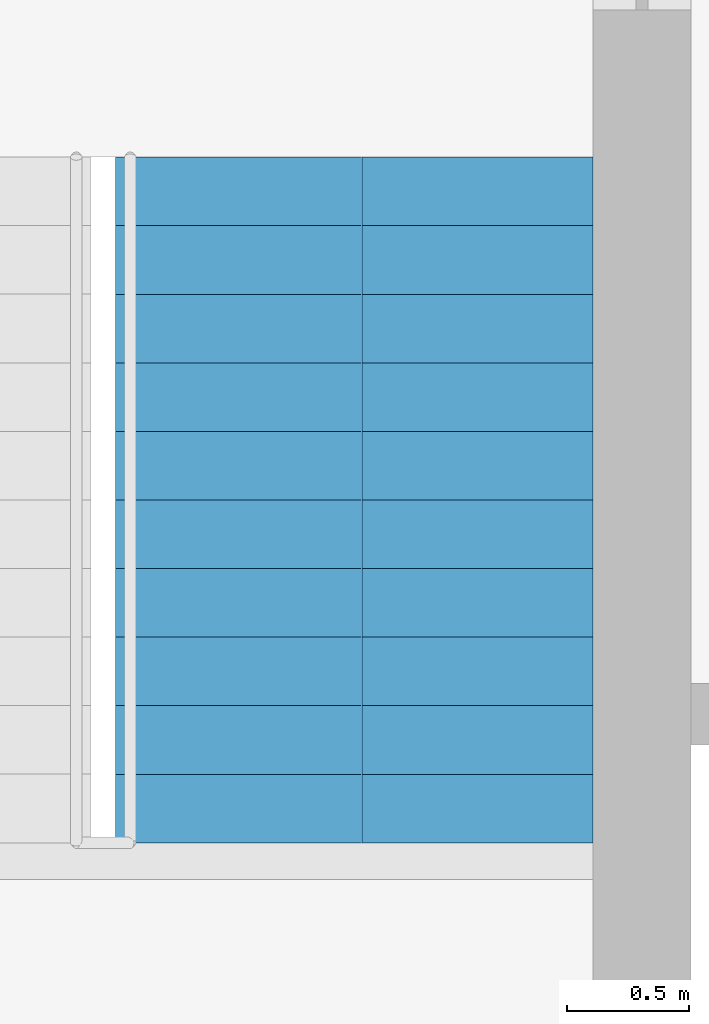
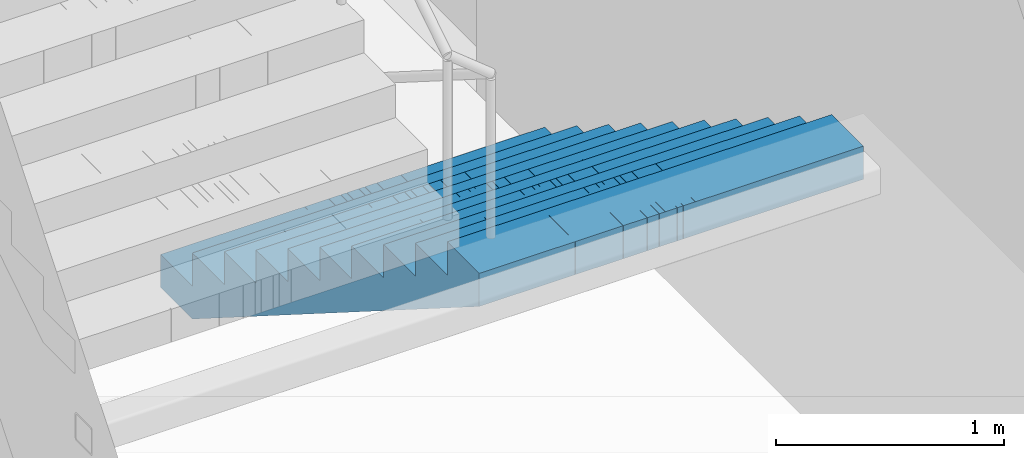
# One storey, part 21 of 22: 1 stair flight, 1 element without a shape of its own.
"""IFC4 building model written with IfcOpenShell, lengths in metres."""

from ifc_helpers import new_model, si_unit, direction, frame, origin, place, context, subcontext, project, spatial, polyline, outline, extrude, material, type_object, element, aggregate, save


model = new_model("IFC4")

# Units and contexts
model_context = context("Model", 3, precision=1e-05, world=origin(), true_north=direction((0.0, 1.0)))
body_context = subcontext(model_context, "Body", "Model", "MODEL_VIEW")
ifc_project = project(units=[si_unit("LENGTHUNIT", "METRE"), si_unit("AREAUNIT", "SQUARE_METRE"), si_unit("VOLUMEUNIT", "CUBIC_METRE"), si_unit("PLANEANGLEUNIT", "RADIAN"), si_unit("MASSUNIT", "GRAM", prefix="KILO")], contexts=[model_context])

# Site, building, storey
site_placement = place(None, origin())
site = spatial("IfcSite", under=ifc_project, at=site_placement, CompositionType="ELEMENT")
building_placement = place(site_placement, origin())
building = spatial("IfcBuilding", under=site, at=building_placement, Name="Mizan Broadcast Tower", CompositionType="ELEMENT")
storey_placement = place(building_placement, frame((0.0, 0.0, 66.89990234375)))
storey = spatial("IfcBuildingStorey", under=building, at=storey_placement, Name="L13", CompositionType="ELEMENT", Elevation=66.89990234375)

# Stair, stair flight
ifc_material_1 = material(Name="Concrete C40/50", Category="concrete")
stair_type = type_object("IfcStairType", Name="EXIT STAIR", PredefinedType="HALF_TURN_STAIR", material=ifc_material_1)
stair_placement = place(storey_placement, origin())
stair = element("IfcStair", 1, at=stair_placement, inside=storey, type_object=stair_type, Name="Stair B L13", PredefinedType="HALF_TURN_STAIR")
ifc_material_2 = material(Name="Concrete C40/50", Category="concrete")
stair_flight_type = type_object("IfcStairFlightType", Name="EXIT STAIR FLIGHT", PredefinedType="STRAIGHT", material=ifc_material_2)
stair_flight_placement = place(storey_placement, frame((1.02490234375, 7.89990234375, 0.0), z_axis=(0.0, 0.0, 1.0), x_axis=(0.0, -1.0, 0.0)))
stair_flight = element("IfcStairFlight", 2, at=stair_flight_placement, type_object=stair_flight_type, Name="B flight 1", NumberOfRisers=11, NumberOfTreads=10, PredefinedType="STRAIGHT", RiserHeight=0.177272727, TreadLength=0.28, context=body_context, shape_type="SweptSolid", body=[
    extrude(outline(polyline([(0.0, 0.0), (0.0, 0.17724609375), (0.280029296875, 0.17724609375), (0.280029296875, 0.3544921875), (0.56005859375, 0.3544921875), (0.56005859375, 0.53173828125), (0.840087890625, 0.53173828125), (0.840087890625, 0.708984375), (1.1201171875, 0.708984375), (1.1201171875, 0.886474609375), (1.39990234375, 0.886474609375), (1.39990234375, 1.063720703125), (1.679931640625, 1.063720703125), (1.679931640625, 1.240966796875), (1.9599609375, 1.240966796875), (1.9599609375, 1.418212890625), (2.239990234375, 1.418212890625), (2.239990234375, 1.595458984375), (2.52001953125, 1.595458984375), (2.52001953125, 1.772705078125), (2.800048828125, 1.772705078125), (2.800048828125, 1.949951171875), (2.800048828125, 1.59521484375), (0.2802734375, 0.0), (0.0, 0.0)])), frame((0.0, 0.97509765625, 0.0), z_axis=(0.0, -1.0, 0.0), x_axis=(1.0, 0.0, 0.0)), (0.0, 0.0, 1.0), 0.4873046875),
    extrude(outline(polyline([(0.0, 0.0), (0.0, 0.17724609375), (0.280029296875, 0.17724609375), (0.280029296875, 0.3544921875), (0.56005859375, 0.3544921875), (0.56005859375, 0.53173828125), (0.840087890625, 0.53173828125), (0.840087890625, 0.708984375), (1.1201171875, 0.708984375), (1.1201171875, 0.886474609375), (1.39990234375, 0.886474609375), (1.39990234375, 1.063720703125), (1.679931640625, 1.063720703125), (1.679931640625, 1.240966796875), (1.9599609375, 1.240966796875), (1.9599609375, 1.418212890625), (2.239990234375, 1.418212890625), (2.239990234375, 1.595458984375), (2.52001953125, 1.595458984375), (2.52001953125, 1.772705078125), (2.800048828125, 1.772705078125), (2.800048828125, 1.949951171875), (2.800048828125, 1.59521484375), (0.2802734375, 0.0), (0.0, 0.0)])), frame((0.0, 0.4873046875, 0.0), z_axis=(0.0, -1.0, 0.0), x_axis=(1.0, 0.0, 0.0)), (0.0, 0.0, 1.0), 0.2431640625),
    extrude(outline(polyline([(0.0, 0.0), (0.0, 0.17724609375), (0.280029296875, 0.17724609375), (0.280029296875, 0.3544921875), (0.56005859375, 0.3544921875), (0.56005859375, 0.53173828125), (0.840087890625, 0.53173828125), (0.840087890625, 0.708984375), (1.1201171875, 0.708984375), (1.1201171875, 0.886474609375), (1.39990234375, 0.886474609375), (1.39990234375, 1.063720703125), (1.679931640625, 1.063720703125), (1.679931640625, 1.240966796875), (1.9599609375, 1.240966796875), (1.9599609375, 1.418212890625), (2.239990234375, 1.418212890625), (2.239990234375, 1.595458984375), (2.52001953125, 1.595458984375), (2.52001953125, 1.772705078125), (2.800048828125, 1.772705078125), (2.800048828125, 1.949951171875), (2.800048828125, 1.59521484375), (0.2802734375, 0.0), (0.0, 0.0)])), frame((0.0, 0.24365234375, 0.0), z_axis=(0.0, -1.0, 0.0), x_axis=(1.0, 0.0, 0.0)), (0.0, 0.0, 1.0), 0.121337890625),
    extrude(outline(polyline([(0.0, 0.0), (0.0, 0.17724609375), (0.280029296875, 0.17724609375), (0.280029296875, 0.3544921875), (0.56005859375, 0.3544921875), (0.56005859375, 0.53173828125), (0.840087890625, 0.53173828125), (0.840087890625, 0.708984375), (1.1201171875, 0.708984375), (1.1201171875, 0.886474609375), (1.39990234375, 0.886474609375), (1.39990234375, 1.063720703125), (1.679931640625, 1.063720703125), (1.679931640625, 1.240966796875), (1.9599609375, 1.240966796875), (1.9599609375, 1.418212890625), (2.239990234375, 1.418212890625), (2.239990234375, 1.595458984375), (2.52001953125, 1.595458984375), (2.52001953125, 1.772705078125), (2.800048828125, 1.772705078125), (2.800048828125, 1.949951171875), (2.800048828125, 1.59521484375), (0.2802734375, 0.0), (0.0, 0.0)])), frame((0.0, 0.121826171875, 0.0), z_axis=(0.0, -1.0, 0.0), x_axis=(1.0, 0.0, 0.0)), (0.0, 0.0, 1.0), 0.060546875),
    extrude(outline(polyline([(0.0, 0.0), (0.0, 0.17724609375), (0.280029296875, 0.17724609375), (0.280029296875, 0.3544921875), (0.56005859375, 0.3544921875), (0.56005859375, 0.53173828125), (0.840087890625, 0.53173828125), (0.840087890625, 0.708984375), (1.1201171875, 0.708984375), (1.1201171875, 0.886474609375), (1.39990234375, 0.886474609375), (1.39990234375, 1.063720703125), (1.679931640625, 1.063720703125), (1.679931640625, 1.240966796875), (1.9599609375, 1.240966796875), (1.9599609375, 1.418212890625), (2.239990234375, 1.418212890625), (2.239990234375, 1.595458984375), (2.52001953125, 1.595458984375), (2.52001953125, 1.772705078125), (2.800048828125, 1.772705078125), (2.800048828125, 1.949951171875), (2.800048828125, 1.59521484375), (0.2802734375, 0.0), (0.0, 0.0)])), frame((0.0, 0.060791015625, 0.0), z_axis=(0.0, -1.0, 0.0), x_axis=(1.0, 0.0, 0.0)), (0.0, 0.0, 1.0), 0.030029296875),
    extrude(outline(polyline([(0.0, 0.0), (0.0, 0.17724609375), (0.280029296875, 0.17724609375), (0.280029296875, 0.3544921875), (0.56005859375, 0.3544921875), (0.56005859375, 0.53173828125), (0.840087890625, 0.53173828125), (0.840087890625, 0.708984375), (1.1201171875, 0.708984375), (1.1201171875, 0.886474609375), (1.39990234375, 0.886474609375), (1.39990234375, 1.063720703125), (1.679931640625, 1.063720703125), (1.679931640625, 1.240966796875), (1.9599609375, 1.240966796875), (1.9599609375, 1.418212890625), (2.239990234375, 1.418212890625), (2.239990234375, 1.595458984375), (2.52001953125, 1.595458984375), (2.52001953125, 1.772705078125), (2.800048828125, 1.772705078125), (2.800048828125, 1.949951171875), (2.800048828125, 1.59521484375), (0.2802734375, 0.0), (0.0, 0.0)])), frame((0.0, 0.0302734375, 0.0), z_axis=(0.0, -1.0, 0.0), x_axis=(1.0, 0.0, 0.0)), (0.0, 0.0, 1.0), 0.060302734375),
    extrude(outline(polyline([(0.0, 0.0), (0.0, 0.17724609375), (0.280029296875, 0.17724609375), (0.280029296875, 0.3544921875), (0.56005859375, 0.3544921875), (0.56005859375, 0.53173828125), (0.840087890625, 0.53173828125), (0.840087890625, 0.708984375), (1.1201171875, 0.708984375), (1.1201171875, 0.886474609375), (1.39990234375, 0.886474609375), (1.39990234375, 1.063720703125), (1.679931640625, 1.063720703125), (1.679931640625, 1.240966796875), (1.9599609375, 1.240966796875), (1.9599609375, 1.418212890625), (2.239990234375, 1.418212890625), (2.239990234375, 1.595458984375), (2.52001953125, 1.595458984375), (2.52001953125, 1.772705078125), (2.800048828125, 1.772705078125), (2.800048828125, 1.949951171875), (2.800048828125, 1.59521484375), (0.2802734375, 0.0), (0.0, 0.0)])), frame((0.0, -0.030517578125, 0.0), z_axis=(0.0, -1.0, 0.0), x_axis=(1.0, 0.0, 0.0)), (0.0, 0.0, 1.0), 0.030029296875),
    extrude(outline(polyline([(0.0, 0.0), (0.0, 0.17724609375), (0.280029296875, 0.17724609375), (0.280029296875, 0.3544921875), (0.56005859375, 0.3544921875), (0.56005859375, 0.53173828125), (0.840087890625, 0.53173828125), (0.840087890625, 0.708984375), (1.1201171875, 0.708984375), (1.1201171875, 0.886474609375), (1.39990234375, 0.886474609375), (1.39990234375, 1.063720703125), (1.679931640625, 1.063720703125), (1.679931640625, 1.240966796875), (1.9599609375, 1.240966796875), (1.9599609375, 1.418212890625), (2.239990234375, 1.418212890625), (2.239990234375, 1.595458984375), (2.52001953125, 1.595458984375), (2.52001953125, 1.772705078125), (2.800048828125, 1.772705078125), (2.800048828125, 1.949951171875), (2.800048828125, 1.59521484375), (0.2802734375, 0.0), (0.0, 0.0)])), frame((0.0, -0.06103515625, 0.0), z_axis=(0.0, -1.0, 0.0), x_axis=(1.0, 0.0, 0.0)), (0.0, 0.0, 1.0), 0.060546875),
    extrude(outline(polyline([(0.0, 0.0), (0.0, 0.17724609375), (0.280029296875, 0.17724609375), (0.280029296875, 0.3544921875), (0.56005859375, 0.3544921875), (0.56005859375, 0.53173828125), (0.840087890625, 0.53173828125), (0.840087890625, 0.708984375), (1.1201171875, 0.708984375), (1.1201171875, 0.886474609375), (1.39990234375, 0.886474609375), (1.39990234375, 1.063720703125), (1.679931640625, 1.063720703125), (1.679931640625, 1.240966796875), (1.9599609375, 1.240966796875), (1.9599609375, 1.418212890625), (2.239990234375, 1.418212890625), (2.239990234375, 1.595458984375), (2.52001953125, 1.595458984375), (2.52001953125, 1.772705078125), (2.800048828125, 1.772705078125), (2.800048828125, 1.949951171875), (2.800048828125, 1.59521484375), (0.2802734375, 0.0), (0.0, 0.0)])), frame((0.0, -0.1220703125, 0.0), z_axis=(0.0, -1.0, 0.0), x_axis=(1.0, 0.0, 0.0)), (0.0, 0.0, 1.0), 0.121337890625),
    extrude(outline(polyline([(0.0, 0.0), (0.0, 0.17724609375), (0.280029296875, 0.17724609375), (0.280029296875, 0.3544921875), (0.56005859375, 0.3544921875), (0.56005859375, 0.53173828125), (0.840087890625, 0.53173828125), (0.840087890625, 0.708984375), (1.1201171875, 0.708984375), (1.1201171875, 0.886474609375), (1.39990234375, 0.886474609375), (1.39990234375, 1.063720703125), (1.679931640625, 1.063720703125), (1.679931640625, 1.240966796875), (1.9599609375, 1.240966796875), (1.9599609375, 1.418212890625), (2.239990234375, 1.418212890625), (2.239990234375, 1.595458984375), (2.52001953125, 1.595458984375), (2.52001953125, 1.772705078125), (2.800048828125, 1.772705078125), (2.800048828125, 1.949951171875), (2.800048828125, 1.59521484375), (0.2802734375, 0.0), (0.0, 0.0)])), frame((0.0, -0.243896484375, 0.0), z_axis=(0.0, -1.0, 0.0), x_axis=(1.0, 0.0, 0.0)), (0.0, 0.0, 1.0), 0.2431640625),
    extrude(outline(polyline([(0.0, 0.0), (0.0, 0.17724609375), (0.280029296875, 0.17724609375), (0.280029296875, 0.3544921875), (0.56005859375, 0.3544921875), (0.56005859375, 0.53173828125), (0.840087890625, 0.53173828125), (0.840087890625, 0.708984375), (1.1201171875, 0.708984375), (1.1201171875, 0.886474609375), (1.39990234375, 0.886474609375), (1.39990234375, 1.063720703125), (1.679931640625, 1.063720703125), (1.679931640625, 1.240966796875), (1.9599609375, 1.240966796875), (1.9599609375, 1.418212890625), (2.239990234375, 1.418212890625), (2.239990234375, 1.595458984375), (2.52001953125, 1.595458984375), (2.52001953125, 1.772705078125), (2.800048828125, 1.772705078125), (2.800048828125, 1.949951171875), (2.800048828125, 1.59521484375), (0.2802734375, 0.0), (0.0, 0.0)])), frame((0.0, -0.487548828125, 0.0), z_axis=(0.0, -1.0, 0.0), x_axis=(1.0, 0.0, 0.0)), (0.0, 0.0, 1.0), 0.4873046875),
])
aggregate(stair, [stair_flight])

save(model, "model.ifc")
